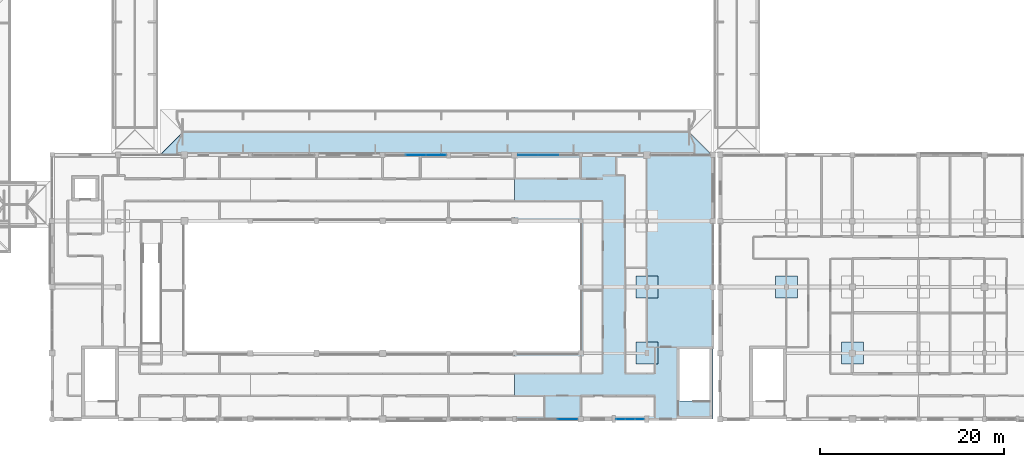
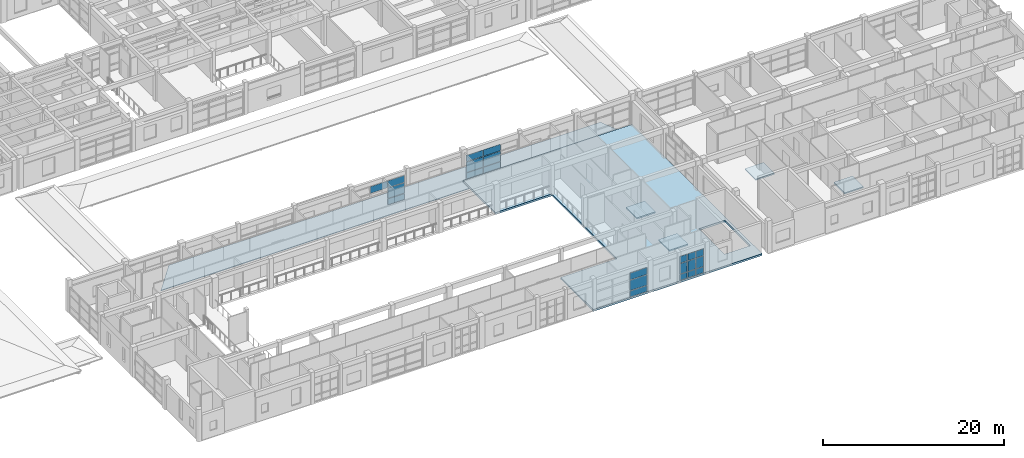
# One storey, part 61 of 110: 22 plates, 6 slabs, 5 elements without a shape of their own.
"""IFC4 building model written with IfcOpenShell, lengths in metres."""

from ifc_helpers import new_model, si_unit, direction, frame, origin, origin_2d, place, context, subcontext, project, spatial, polyline, rectangle, outline, extrude, material, layer, layer_set, type_object, element, aggregate, save


model = new_model("IFC4")

# Units and contexts
model_context = context("Model", 3, precision=1e-05, world=origin(), true_north=direction((0.0, 1.0)))
body_context = subcontext(model_context, "Body", "Model", "MODEL_VIEW")
ifc_project = project(units=[si_unit("LENGTHUNIT", "METRE"), si_unit("AREAUNIT", "SQUARE_METRE"), si_unit("VOLUMEUNIT", "CUBIC_METRE"), si_unit("PLANEANGLEUNIT", "RADIAN"), si_unit("MASSUNIT", "GRAM", prefix="KILO")], contexts=[model_context])

# Site, building, storey
site_placement = place(None, origin())
site = spatial("IfcSite", under=ifc_project, at=site_placement, CompositionType="ELEMENT")
building_placement = place(site_placement, origin())
building = spatial("IfcBuilding", under=site, at=building_placement, Name="Steenspoor Specialist Clinic", CompositionType="ELEMENT")
storey_placement = place(building_placement, frame((0.0, 0.0, 4.800048828125)))
storey = spatial("IfcBuildingStorey", under=building, at=storey_placement, Name="L01", CompositionType="ELEMENT", Elevation=4.800048828125)

# Curtain wall, plates
ifc_material_1 = material(Name="Thermally broken aluminium and low-emissivity glass", Category="aluminium")
curtain_wall_type_1 = type_object("IfcCurtainWallType", Name="CW-TYP-300X355", PredefinedType="USERDEFINED", material=ifc_material_1)
curtain_wall_1_placement = place(storey_placement, origin())
curtain_wall_1 = element("IfcCurtainWall", 1, at=curtain_wall_1_placement, inside=storey, type_object=curtain_wall_type_1, Name="Unitised Curtain Wall CW-V1-L01-015", ObjectType="UNITISED GLAZING", PredefinedType="USERDEFINED")
ifc_material_2 = material(Name="Double low-emissivity insulated glass", Category="glass")
ifc_layer_1 = layer(ifc_material_2, 0.035888671875)
ifc_layer_set_1 = layer_set([ifc_layer_1], Name="Double low-emissivity insulated glass")
plate_type_1 = type_object("IfcPlateType", Name="CW-PAN-GL36", PredefinedType="CURTAIN_PANEL", material=ifc_layer_set_1)
plate_1_placement = place(storey_placement, frame((109.20703125, 13.050048828125, 0.080078125), z_axis=(0.0, 0.0, 1.0), x_axis=(-1.0, 0.0, 0.0)))
plate_1 = element("IfcPlate", 2, at=plate_1_placement, type_object=plate_type_1, Name="CW-15 panel 1.1", PredefinedType="CURTAIN_PANEL", context=body_context, shape_type="SweptSolid", body=[
    extrude(rectangle(XDim=0.955810546875, YDim=0.035888671875, at=origin_2d()), origin(), (0.0, 0.0, 1.0), 0.780029296875),
])
plate_2_placement = place(storey_placement, frame((109.20703125, 13.050048828125, 0.93994140625), z_axis=(0.0, 0.0, 1.0), x_axis=(-1.0, 0.0, 0.0)))
plate_2 = element("IfcPlate", 3, at=plate_2_placement, type_object=plate_type_1, Name="CW-15 panel 1.2", PredefinedType="CURTAIN_PANEL", context=body_context, shape_type="SweptSolid", body=[
    extrude(rectangle(XDim=0.955810546875, YDim=0.035888671875, at=origin_2d()), origin(), (0.0, 0.0, 1.0), 1.3701171875),
])
plate_3_placement = place(storey_placement, frame((109.20703125, 13.050048828125, 2.39013671875), z_axis=(0.0, 0.0, 1.0), x_axis=(-1.0, 0.0, 0.0)))
plate_3 = element("IfcPlate", 4, at=plate_3_placement, type_object=plate_type_1, Name="CW-15 panel 1.3", PredefinedType="CURTAIN_PANEL", context=body_context, shape_type="SweptSolid", body=[
    extrude(rectangle(XDim=0.955810546875, YDim=0.035888671875, at=origin_2d()), origin(), (0.0, 0.0, 1.0), 0.909912109375),
])
plate_4_placement = place(storey_placement, frame((108.169921875, 13.050048828125, 0.080078125), z_axis=(0.0, 0.0, 1.0), x_axis=(-1.0, 0.0, 0.0)))
plate_4 = element("IfcPlate", 5, at=plate_4_placement, type_object=plate_type_1, Name="CW-15 panel 2.1", PredefinedType="CURTAIN_PANEL", context=body_context, shape_type="SweptSolid", body=[
    extrude(rectangle(XDim=0.98828125, YDim=0.035888671875, at=origin_2d()), origin(), (0.0, 0.0, 1.0), 0.780029296875),
])
plate_5_placement = place(storey_placement, frame((108.169921875, 13.050048828125, 0.93994140625), z_axis=(0.0, 0.0, 1.0), x_axis=(-1.0, 0.0, 0.0)))
plate_5 = element("IfcPlate", 6, at=plate_5_placement, type_object=plate_type_1, Name="CW-15 panel 2.2", PredefinedType="CURTAIN_PANEL", context=body_context, shape_type="SweptSolid", body=[
    extrude(rectangle(XDim=0.98828125, YDim=0.035888671875, at=origin_2d()), origin(), (0.0, 0.0, 1.0), 1.3701171875),
])
plate_6_placement = place(storey_placement, frame((108.169921875, 13.050048828125, 2.39013671875), z_axis=(0.0, 0.0, 1.0), x_axis=(-1.0, 0.0, 0.0)))
plate_6 = element("IfcPlate", 7, at=plate_6_placement, type_object=plate_type_1, Name="CW-15 panel 2.3", PredefinedType="CURTAIN_PANEL", context=body_context, shape_type="SweptSolid", body=[
    extrude(rectangle(XDim=0.98828125, YDim=0.035888671875, at=origin_2d()), origin(), (0.0, 0.0, 1.0), 0.909912109375),
])
plate_7_placement = place(storey_placement, frame((107.1328125, 13.050048828125, 0.080078125), z_axis=(0.0, 0.0, 1.0), x_axis=(-1.0, 0.0, 0.0)))
plate_7 = element("IfcPlate", 8, at=plate_7_placement, type_object=plate_type_1, Name="CW-15 panel 3.1", PredefinedType="CURTAIN_PANEL", context=body_context, shape_type="SweptSolid", body=[
    extrude(rectangle(XDim=0.955810546875, YDim=0.035888671875, at=origin_2d()), origin(), (0.0, 0.0, 1.0), 0.780029296875),
])
plate_8_placement = place(storey_placement, frame((107.1328125, 13.050048828125, 0.93994140625), z_axis=(0.0, 0.0, 1.0), x_axis=(-1.0, 0.0, 0.0)))
plate_8 = element("IfcPlate", 9, at=plate_8_placement, type_object=plate_type_1, Name="CW-15 panel 3.2", PredefinedType="CURTAIN_PANEL", context=body_context, shape_type="SweptSolid", body=[
    extrude(rectangle(XDim=0.955810546875, YDim=0.035888671875, at=origin_2d()), origin(), (0.0, 0.0, 1.0), 1.3701171875),
])
plate_9_placement = place(storey_placement, frame((107.1328125, 13.050048828125, 2.39013671875), z_axis=(0.0, 0.0, 1.0), x_axis=(-1.0, 0.0, 0.0)))
plate_9 = element("IfcPlate", 10, at=plate_9_placement, type_object=plate_type_1, Name="CW-15 panel 3.3", PredefinedType="CURTAIN_PANEL", context=body_context, shape_type="SweptSolid", body=[
    extrude(rectangle(XDim=0.955810546875, YDim=0.035888671875, at=origin_2d()), origin(), (0.0, 0.0, 1.0), 0.909912109375),
])
aggregate(curtain_wall_1, [plate_1, plate_2, plate_3, plate_4, plate_5, plate_6, plate_7, plate_8, plate_9])

curtain_wall_type_2 = type_object("IfcCurtainWallType", Name="CW-TYP-240X355", PredefinedType="USERDEFINED", material=ifc_material_1)
curtain_wall_2_placement = place(storey_placement, origin())
curtain_wall_2 = element("IfcCurtainWall", 11, at=curtain_wall_2_placement, inside=storey, type_object=curtain_wall_type_2, Name="Unitised Curtain Wall CW-V1-L01-016", ObjectType="UNITISED GLAZING", PredefinedType="USERDEFINED")
ifc_material_3 = material(Name="Triple acoustic laminated low-emissivity glass", Category="glass")
ifc_layer_2 = layer(ifc_material_3, 0.048095703125)
ifc_layer_set_2 = layer_set([ifc_layer_2], Name="Triple acoustic laminated low-emissivity glass")
plate_type_2 = type_object("IfcPlateType", Name="CW-PAN-GL48", PredefinedType="CURTAIN_PANEL", material=ifc_layer_set_2)
plate_10_placement = place(storey_placement, frame((101.37255859375, 13.050048828125, 0.070068359375), z_axis=(0.0, 0.0, 1.0), x_axis=(-1.0, 0.0, 0.0)))
plate_10 = element("IfcPlate", 12, at=plate_10_placement, type_object=plate_type_2, Name="CW-16 panel 1.1", PredefinedType="CURTAIN_PANEL", context=body_context, shape_type="SweptSolid", body=[
    extrude(rectangle(XDim=2.135009765625, YDim=0.048095703125, at=origin_2d()), origin(), (0.0, 0.0, 1.0), 0.794921875),
])
plate_11_placement = place(storey_placement, frame((101.37255859375, 13.050048828125, 0.93505859375), z_axis=(0.0, 0.0, 1.0), x_axis=(-1.0, 0.0, 0.0)))
plate_11 = element("IfcPlate", 13, at=plate_11_placement, type_object=plate_type_2, Name="CW-16 panel 1.2", PredefinedType="CURTAIN_PANEL", context=body_context, shape_type="SweptSolid", body=[
    extrude(rectangle(XDim=2.135009765625, YDim=0.048095703125, at=origin_2d()), origin(), (0.0, 0.0, 1.0), 1.3798828125),
])
plate_12_placement = place(storey_placement, frame((101.37255859375, 13.050048828125, 2.384765625), z_axis=(0.0, 0.0, 1.0), x_axis=(-1.0, 0.0, 0.0)))
plate_12 = element("IfcPlate", 14, at=plate_12_placement, type_object=plate_type_2, Name="CW-16 panel 1.3", PredefinedType="CURTAIN_PANEL", context=body_context, shape_type="SweptSolid", body=[
    extrude(rectangle(XDim=2.135009765625, YDim=0.048095703125, at=origin_2d()), origin(), (0.0, 0.0, 1.0), 0.925048828125),
])
aggregate(curtain_wall_2, [plate_10, plate_11, plate_12])

curtain_wall_type_3 = type_object("IfcCurtainWallType", Name="CW-HALL-660X820", PredefinedType="USERDEFINED", material=ifc_material_1)
curtain_wall_3_placement = place(storey_placement, origin())
curtain_wall_3 = element("IfcCurtainWall", 15, at=curtain_wall_3_placement, inside=storey, type_object=curtain_wall_type_3, Name="Unitised Curtain Wall CW-V1-L01-025", ObjectType="UNITISED GLAZING", PredefinedType="USERDEFINED")
plate_13_placement = place(storey_placement, frame((84.824951171875, 41.85009765625, 2.39013671875), z_axis=(0.0, 0.0, 1.0), x_axis=(1.0, 0.0, 0.0)))
plate_13 = element("IfcPlate", 16, at=plate_13_placement, type_object=plate_type_2, Name="CW-01 panel 2.3", PredefinedType="CURTAIN_PANEL", context=body_context, shape_type="SweptSolid", body=[
    extrude(rectangle(XDim=2.1533203125, YDim=0.048095703125, at=origin_2d()), origin(), (0.0, 0.0, 1.0), 0.909912109375),
])
plate_14_placement = place(storey_placement, frame((87.038330078125, 41.85009765625, 0.080078125), z_axis=(0.0, 0.0, 1.0), x_axis=(1.0, 0.0, 0.0)))
plate_14 = element("IfcPlate", 17, at=plate_14_placement, type_object=plate_type_2, Name="CW-01 panel 3.1", PredefinedType="CURTAIN_PANEL", context=body_context, shape_type="SweptSolid", body=[
    extrude(rectangle(XDim=2.11328125, YDim=0.048095703125, at=origin_2d()), origin(), (0.0, 0.0, 1.0), 0.780029296875),
])
plate_15_placement = place(storey_placement, frame((87.038330078125, 41.85009765625, 0.93994140625), z_axis=(0.0, 0.0, 1.0), x_axis=(1.0, 0.0, 0.0)))
plate_15 = element("IfcPlate", 18, at=plate_15_placement, type_object=plate_type_2, Name="CW-01 panel 3.2", PredefinedType="CURTAIN_PANEL", context=body_context, shape_type="SweptSolid", body=[
    extrude(rectangle(XDim=2.11328125, YDim=0.048095703125, at=origin_2d()), origin(), (0.0, 0.0, 1.0), 1.3701171875),
])
plate_16_placement = place(storey_placement, frame((87.038330078125, 41.85009765625, 2.39013671875), z_axis=(0.0, 0.0, 1.0), x_axis=(1.0, 0.0, 0.0)))
plate_16 = element("IfcPlate", 19, at=plate_16_placement, type_object=plate_type_2, Name="CW-01 panel 3.3", PredefinedType="CURTAIN_PANEL", context=body_context, shape_type="SweptSolid", body=[
    extrude(rectangle(XDim=2.11328125, YDim=0.048095703125, at=origin_2d()), origin(), (0.0, 0.0, 1.0), 0.909912109375),
])
aggregate(curtain_wall_3, [plate_13, plate_14, plate_15, plate_16])

curtain_wall_type_4 = type_object("IfcCurtainWallType", Name="CW-HALL-650X820", PredefinedType="USERDEFINED", material=ifc_material_1)
curtain_wall_4_placement = place(storey_placement, origin())
curtain_wall_4 = element("IfcCurtainWall", 20, at=curtain_wall_4_placement, inside=storey, type_object=curtain_wall_type_4, Name="Unitised Curtain Wall CW-V1-L01-026", ObjectType="UNITISED GLAZING", PredefinedType="USERDEFINED")
ifc_material_4 = material(Name="Insulated glazed ceramic spandrel panel", Category="glass")
ifc_layer_3 = layer(ifc_material_4, 0.074951171875)
ifc_layer_set_3 = layer_set([ifc_layer_3], Name="Insulated glazed ceramic spandrel panel")
plate_type_3 = type_object("IfcPlateType", Name="CW-PAN-SP75", PredefinedType="CURTAIN_PANEL", material=ifc_layer_set_3)
plate_17_placement = place(storey_placement, frame((97.054931640625, 41.85009765625, 0.070068359375), z_axis=(0.0, 0.0, 1.0), x_axis=(1.0, 0.0, 0.0)))
plate_17 = element("IfcPlate", 21, at=plate_17_placement, type_object=plate_type_3, Name="CW-02 panel 1.1", PredefinedType="CURTAIN_PANEL", context=body_context, shape_type="SweptSolid", body=[
    extrude(rectangle(XDim=2.1201171875, YDim=0.074951171875, at=origin_2d()), origin(), (0.0, 0.0, 1.0), 0.794921875),
])
plate_18_placement = place(storey_placement, frame((97.054931640625, 41.85009765625, 0.93505859375), z_axis=(0.0, 0.0, 1.0), x_axis=(1.0, 0.0, 0.0)))
plate_18 = element("IfcPlate", 22, at=plate_18_placement, type_object=plate_type_3, Name="CW-02 panel 1.2", PredefinedType="CURTAIN_PANEL", context=body_context, shape_type="SweptSolid", body=[
    extrude(rectangle(XDim=2.1201171875, YDim=0.074951171875, at=origin_2d()), origin(), (0.0, 0.0, 1.0), 1.3798828125),
])
plate_19_placement = place(storey_placement, frame((97.054931640625, 41.85009765625, 2.384765625), z_axis=(0.0, 0.0, 1.0), x_axis=(1.0, 0.0, 0.0)))
plate_19 = element("IfcPlate", 23, at=plate_19_placement, type_object=plate_type_3, Name="CW-02 panel 1.3", PredefinedType="CURTAIN_PANEL", context=body_context, shape_type="SweptSolid", body=[
    extrude(rectangle(XDim=2.1201171875, YDim=0.074951171875, at=origin_2d()), origin(), (0.0, 0.0, 1.0), 0.844970703125),
])
plate_20_placement = place(storey_placement, frame((99.262451171875, 41.85009765625, 0.070068359375), z_axis=(0.0, 0.0, 1.0), x_axis=(1.0, 0.0, 0.0)))
plate_20 = element("IfcPlate", 24, at=plate_20_placement, type_object=plate_type_3, Name="CW-02 panel 2.1", PredefinedType="CURTAIN_PANEL", context=body_context, shape_type="SweptSolid", body=[
    extrude(rectangle(XDim=2.155029296875, YDim=0.074951171875, at=origin_2d()), origin(), (0.0, 0.0, 1.0), 0.794921875),
])
plate_21_placement = place(storey_placement, frame((99.262451171875, 41.85009765625, 0.93505859375), z_axis=(0.0, 0.0, 1.0), x_axis=(1.0, 0.0, 0.0)))
plate_21 = element("IfcPlate", 25, at=plate_21_placement, type_object=plate_type_3, Name="CW-02 panel 2.2", PredefinedType="CURTAIN_PANEL", context=body_context, shape_type="SweptSolid", body=[
    extrude(rectangle(XDim=2.155029296875, YDim=0.074951171875, at=origin_2d()), origin(), (0.0, 0.0, 1.0), 1.3798828125),
])
plate_22_placement = place(storey_placement, frame((99.262451171875, 41.85009765625, 2.384765625), z_axis=(0.0, 0.0, 1.0), x_axis=(1.0, 0.0, 0.0)))
plate_22 = element("IfcPlate", 26, at=plate_22_placement, type_object=plate_type_3, Name="CW-02 panel 2.3", PredefinedType="CURTAIN_PANEL", context=body_context, shape_type="SweptSolid", body=[
    extrude(rectangle(XDim=2.155029296875, YDim=0.074951171875, at=origin_2d()), origin(), (0.0, 0.0, 1.0), 0.844970703125),
])
aggregate(curtain_wall_4, [plate_17, plate_18, plate_19, plate_20, plate_21, plate_22])

# Slabs
ifc_material_5 = material(Name="Concrete C35/45", Category="concrete")
ifc_layer_4 = layer(ifc_material_5, 0.169921875)
ifc_layer_set_4 = layer_set([ifc_layer_4], Name="Concrete C35/45")
slab_type_1 = type_object("IfcSlabType", Name="SL-DROP-170", PredefinedType="USERDEFINED", material=ifc_layer_set_4)
slab_1_placement = place(storey_placement, frame((0.0, 0.0, -0.420166015625)))
element("IfcSlab", 27, at=slab_1_placement, inside=storey, type_object=slab_type_1, Name="Column Drop Panel DROP-V1-L01-002", ObjectType="DROP PANEL", PredefinedType="USERDEFINED", context=body_context, shape_type="SweptSolid", body=[
    extrude(outline(polyline([(111.199951171875, 19.050048828125), (111.199951171875, 21.449951171875), (108.800048828125, 21.449951171875), (108.800048828125, 19.050048828125), (111.199951171875, 19.050048828125)])), origin(), (0.0, 0.0, 1.0), 0.170166015625),
])
slab_2_placement = place(storey_placement, frame((0.0, 0.0, -0.420166015625)))
element("IfcSlab", 28, at=slab_2_placement, inside=storey, type_object=slab_type_1, Name="Column Drop Panel DROP-V1-L01-003", ObjectType="DROP PANEL", PredefinedType="USERDEFINED", context=body_context, shape_type="SweptSolid", body=[
    extrude(outline(polyline([(111.199951171875, 26.25), (111.199951171875, 28.64990234375), (108.800048828125, 28.64990234375), (108.800048828125, 26.25), (111.199951171875, 26.25)])), origin(), (0.0, 0.0, 1.0), 0.170166015625),
])
slab_3_placement = place(storey_placement, frame((0.0, 0.0, -0.510009765625)))
element("IfcSlab", 29, at=slab_3_placement, inside=storey, type_object=slab_type_1, Name="Column Drop Panel DROP-V2-L01-005", ObjectType="DROP PANEL", PredefinedType="USERDEFINED", context=body_context, shape_type="SweptSolid", body=[
    extrude(outline(polyline([(126.39990234375, 26.25), (126.39990234375, 28.64990234375), (124.0, 28.64990234375), (124.0, 26.25), (126.39990234375, 26.25)])), origin(), (0.0, 0.0, 1.0), 0.169921875),
])
slab_4_placement = place(storey_placement, frame((0.0, 0.0, -0.510009765625)))
element("IfcSlab", 30, at=slab_4_placement, inside=storey, type_object=slab_type_1, Name="Column Drop Panel DROP-V2-L01-007", ObjectType="DROP PANEL", PredefinedType="USERDEFINED", context=body_context, shape_type="SweptSolid", body=[
    extrude(outline(polyline([(133.60009765625, 19.050048828125), (133.60009765625, 21.449951171875), (131.199951171875, 21.449951171875), (131.199951171875, 19.050048828125), (133.60009765625, 19.050048828125)])), origin(), (0.0, 0.0, 1.0), 0.169921875),
])
ifc_layer_5 = layer(ifc_material_5, 0.25)
ifc_layer_set_5 = layer_set([ifc_layer_5], Name="Concrete C35/45")
slab_type_2 = type_object("IfcSlabType", Name="SL-FLAT-250", PredefinedType="FLOOR", material=ifc_layer_set_5)
slab_5_placement = place(storey_placement, frame((0.0, 0.0, -0.25)))
element("IfcSlab", 31, at=slab_5_placement, inside=storey, type_object=slab_type_2, Name="Structural Slab SLAB-V1-L01-007", PredefinedType="FLOOR", context=body_context, shape_type="SweptSolid", body=[
    extrude(outline(polyline([(117.199951171875, 41.85009765625), (117.199951171875, 13.050048828125), (95.60009765625, 13.050048828125), (95.60009765625, 20.25), (102.800048828125, 20.25), (102.800048828125, 34.64990234375), (95.60009765625, 34.64990234375), (95.60009765625, 41.85009765625), (117.199951171875, 41.85009765625)]), holes=[polyline([(113.550048828125, 20.699951171875), (113.550048828125, 15.050048828125), (116.85009765625, 15.050048828125), (116.85009765625, 20.699951171875), (113.550048828125, 20.699951171875)])]), origin(), (0.0, 0.0, 1.0), 0.25),
])

# Roof, slab
ifc_material_6 = material(Name="Extruded terracotta clay roof tile", Category="masonry")
roof_type = type_object("IfcRoofType", Name="ROOF-HIP-TIER", PredefinedType="HIP_ROOF", material=ifc_material_6)
roof_placement = place(storey_placement, origin())
roof = element("IfcRoof", 32, at=roof_placement, inside=storey, type_object=roof_type, Name="Tiered Hipped Roof WK5", PredefinedType="HIP_ROOF")
ifc_layer_6 = layer(ifc_material_5, 0.14990234375)
ifc_layer_set_6 = layer_set([ifc_layer_6], Name="Concrete C35/45")
slab_type_3 = type_object("IfcSlabType", Name="SL-ROOF-150", PredefinedType="ROOF", material=ifc_layer_set_6)
slab_6_placement = place(storey_placement, frame((59.41748046875, 44.30810546875, -0.269775390625), z_axis=(0.0, -0.424904067506, 0.905238384856), x_axis=(-0.671070144546, -0.671138183697, -0.315021268301)))
slab_6 = element("IfcSlab", 33, at=slab_6_placement, type_object=slab_type_3, Name="Hipped Roof Slab RSLAB-WK5-S", PredefinedType="ROOF", context=body_context, shape_type="SweptSolid", body=[
    extrude(outline(polyline([(0.0, 0.0), (3.5882373905968956, 1.6653345369377348e-16), (-36.6631921144012, 44.46951348046015), (-37.01961073758497, 40.89902145045569), (0.0, 0.0)])), origin(), (0.0, 0.0, -1.0), 0.14990234375),
])
aggregate(roof, [slab_6])

save(model, "model.ifc")
